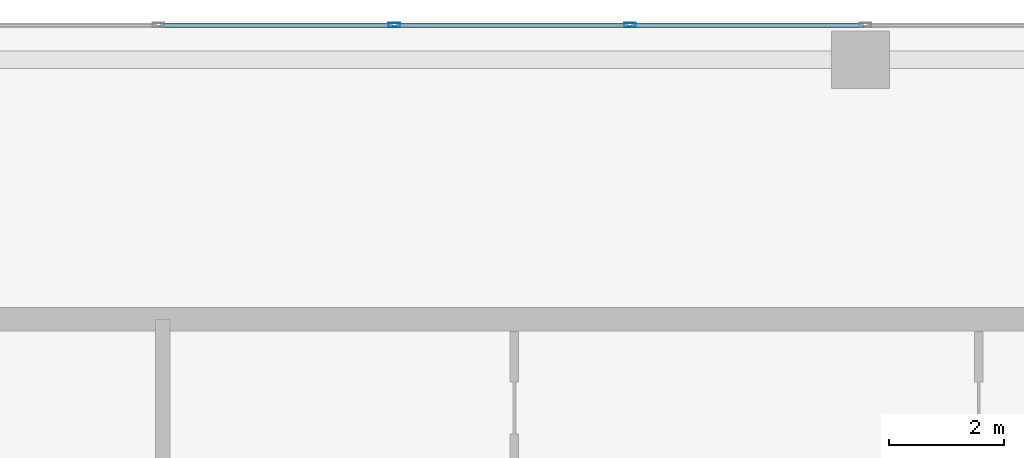
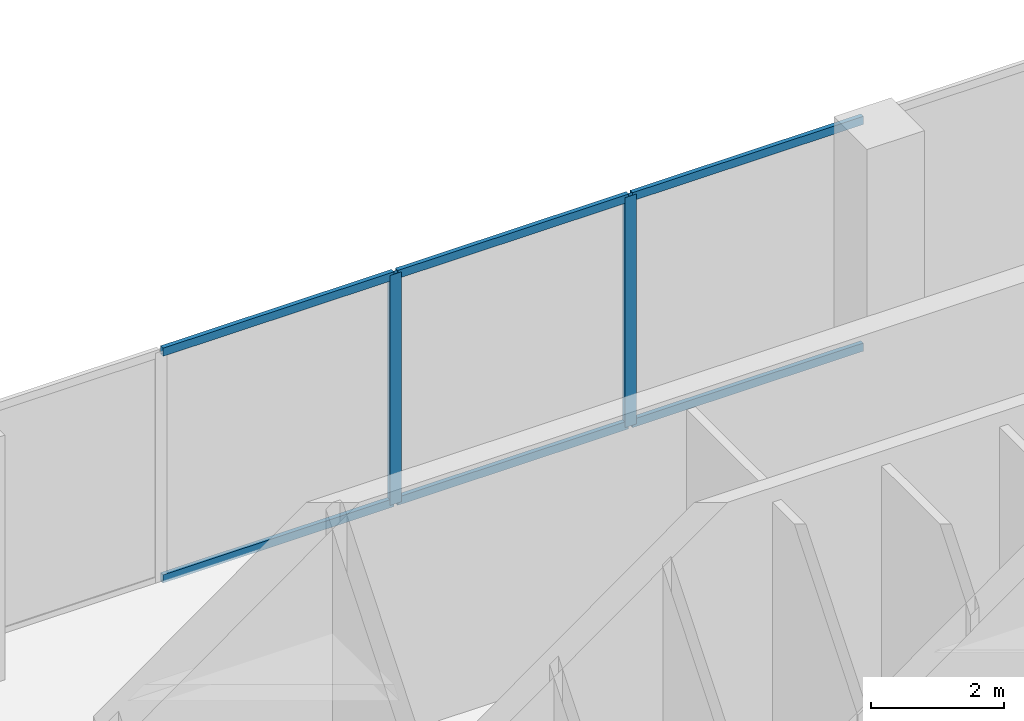
# One storey, part 16 of 24: 8 members, 1 element without a shape of its own.
"""IFC4 building model written with IfcOpenShell, lengths in metres."""

from ifc_helpers import new_model, si_unit, direction, frame, origin, origin_2d, place, context, subcontext, project, spatial, hollow_rectangle, extrude, material, layer, layer_set, material_profile, profile_set, type_object, element, aggregate, save


model = new_model("IFC4")

# Units and contexts
model_context = context("Model", 3, precision=1e-05, world=origin(), true_north=direction((0.0, 1.0)))
body_context = subcontext(model_context, "Body", "Model", "MODEL_VIEW")
ifc_project = project(units=[si_unit("LENGTHUNIT", "METRE"), si_unit("AREAUNIT", "SQUARE_METRE"), si_unit("VOLUMEUNIT", "CUBIC_METRE"), si_unit("PLANEANGLEUNIT", "RADIAN"), si_unit("MASSUNIT", "GRAM", prefix="KILO")], contexts=[model_context])

# Site, building, storey
site_placement = place(None, origin())
site = spatial("IfcSite", under=ifc_project, at=site_placement, CompositionType="ELEMENT")
building_placement = place(site_placement, origin())
building = spatial("IfcBuilding", under=site, at=building_placement, Name="Catumbela Crestline Tower", CompositionType="ELEMENT")
storey_placement = place(building_placement, frame((0.0, 0.0, 21.3)))
storey = spatial("IfcBuildingStorey", under=building, at=storey_placement, Name="L04", CompositionType="ELEMENT", Elevation=21.3)

# Curtain wall, members
ifc_material = material(Name="Aluminium alloy AW-6060-T66", Category="aluminium")
ifc_layer = layer(ifc_material, 0.18, Name="Aluminium alloy AW-6060-T66")
ifc_layer_set = layer_set([ifc_layer], Name="Aluminium alloy AW-6060-T66")
curtain_wall_type = type_object("IfcCurtainWallType", Name="CWS-POD", PredefinedType="USERDEFINED", material=ifc_layer_set)
curtain_wall_placement = place(storey_placement, origin())
curtain_wall = element("IfcCurtainWall", 1, at=curtain_wall_placement, inside=storey, type_object=curtain_wall_type, Name="L04 Stick Curtain Wall CW-L04-E7S1", ObjectType="STICK", PredefinedType="USERDEFINED")
ifc_material_profile_1 = material_profile(ifc_material, hollow_rectangle(XDim=0.075, YDim=0.2, WallThickness=0.005, at=origin_2d()), Name="ALU 200x75x5")
ifc_profile_set_1 = profile_set([ifc_material_profile_1], Name="Aluminium alloy AW-6060-T66")
member_type_1 = type_object("IfcMemberType", Name="MUL-200X75", PredefinedType="MULLION", material=ifc_profile_set_1)
member_1_placement = place(storey_placement, frame((28.0, 48.0, 0.0), z_axis=(0.0, 0.0, 1.0), x_axis=(0.0, -1.0, 0.0)))
member_1 = element("IfcMember", 2, at=member_1_placement, type_object=member_type_1, Name="CWS-POD mullion 7", PredefinedType="MULLION", context=body_context, shape_type="SweptSolid", body=[
    extrude(hollow_rectangle(XDim=0.075, YDim=0.2, WallThickness=0.005, at=origin_2d()), origin(), (0.0, 0.0, 1.0), 4.23),
])
member_2_placement = place(storey_placement, frame((23.9167, 48.0, 0.0), z_axis=(0.0, 0.0, 1.0), x_axis=(0.0, -1.0, 0.0)))
member_2 = element("IfcMember", 3, at=member_2_placement, type_object=member_type_1, Name="CWS-POD mullion 8", PredefinedType="MULLION", context=body_context, shape_type="SweptSolid", body=[
    extrude(hollow_rectangle(XDim=0.075, YDim=0.2, WallThickness=0.005, at=origin_2d()), origin(), (0.0, 0.0, 1.0), 4.23),
])
ifc_material_profile_2 = material_profile(ifc_material, hollow_rectangle(XDim=0.075, YDim=0.15, WallThickness=0.0045, at=origin_2d()), Name="ALU 150x75x4.5")
ifc_profile_set_2 = profile_set([ifc_material_profile_2], Name="Aluminium alloy AW-6060-T66")
member_type_2 = type_object("IfcMemberType", Name="TRN-150X75", PredefinedType="USERDEFINED", material=ifc_profile_set_2)
member_3_placement = place(storey_placement, frame((32.0508, 48.0, 0.03), z_axis=(-1.0, 0.0, 0.0), x_axis=(0.0, -1.0, 0.0)))
member_3 = element("IfcMember", 4, at=member_3_placement, type_object=member_type_2, Name="CWS-POD transom 6.1", ObjectType="TRANSOM", PredefinedType="USERDEFINED", context=body_context, shape_type="SweptSolid", body=[
    extrude(hollow_rectangle(XDim=0.075, YDim=0.15, WallThickness=0.0045, at=origin_2d()), origin(), (0.0, 0.0, 1.0), 4.0183),
])
member_4_placement = place(storey_placement, frame((32.0508, 48.0, 4.2), z_axis=(-1.0, 0.0, 0.0), x_axis=(0.0, -1.0, 0.0)))
member_4 = element("IfcMember", 5, at=member_4_placement, type_object=member_type_2, Name="CWS-POD transom 6.2", ObjectType="TRANSOM", PredefinedType="USERDEFINED", context=body_context, shape_type="SweptSolid", body=[
    extrude(hollow_rectangle(XDim=0.075, YDim=0.15, WallThickness=0.0045, at=origin_2d()), origin(), (0.0, 0.0, 1.0), 4.0183),
])
member_5_placement = place(storey_placement, frame((27.9675, 48.0, 0.03), z_axis=(-1.0, 0.0, 0.0), x_axis=(0.0, -1.0, 0.0)))
member_5 = element("IfcMember", 6, at=member_5_placement, type_object=member_type_2, Name="CWS-POD transom 7.1", ObjectType="TRANSOM", PredefinedType="USERDEFINED", context=body_context, shape_type="SweptSolid", body=[
    extrude(hollow_rectangle(XDim=0.075, YDim=0.15, WallThickness=0.0045, at=origin_2d()), origin(), (0.0, 0.0, 1.0), 4.0183),
])
member_6_placement = place(storey_placement, frame((27.9675, 48.0, 4.2), z_axis=(-1.0, 0.0, 0.0), x_axis=(0.0, -1.0, 0.0)))
member_6 = element("IfcMember", 7, at=member_6_placement, type_object=member_type_2, Name="CWS-POD transom 7.2", ObjectType="TRANSOM", PredefinedType="USERDEFINED", context=body_context, shape_type="SweptSolid", body=[
    extrude(hollow_rectangle(XDim=0.075, YDim=0.15, WallThickness=0.0045, at=origin_2d()), origin(), (0.0, 0.0, 1.0), 4.0183),
])
member_7_placement = place(storey_placement, frame((23.8842, 48.0, 0.03), z_axis=(-1.0, 0.0, 0.0), x_axis=(0.0, -1.0, 0.0)))
member_7 = element("IfcMember", 8, at=member_7_placement, type_object=member_type_2, Name="CWS-POD transom 8.1", ObjectType="TRANSOM", PredefinedType="USERDEFINED", context=body_context, shape_type="SweptSolid", body=[
    extrude(hollow_rectangle(XDim=0.075, YDim=0.15, WallThickness=0.0045, at=origin_2d()), origin(), (0.0, 0.0, 1.0), 4.0184),
])
member_8_placement = place(storey_placement, frame((23.8842, 48.0, 4.2), z_axis=(-1.0, 0.0, 0.0), x_axis=(0.0, -1.0, 0.0)))
member_8 = element("IfcMember", 9, at=member_8_placement, type_object=member_type_2, Name="CWS-POD transom 8.2", ObjectType="TRANSOM", PredefinedType="USERDEFINED", context=body_context, shape_type="SweptSolid", body=[
    extrude(hollow_rectangle(XDim=0.075, YDim=0.15, WallThickness=0.0045, at=origin_2d()), origin(), (0.0, 0.0, 1.0), 4.0184),
])
aggregate(curtain_wall, [member_1, member_2, member_3, member_4, member_5, member_6, member_7, member_8])

save(model, "model.ifc")
